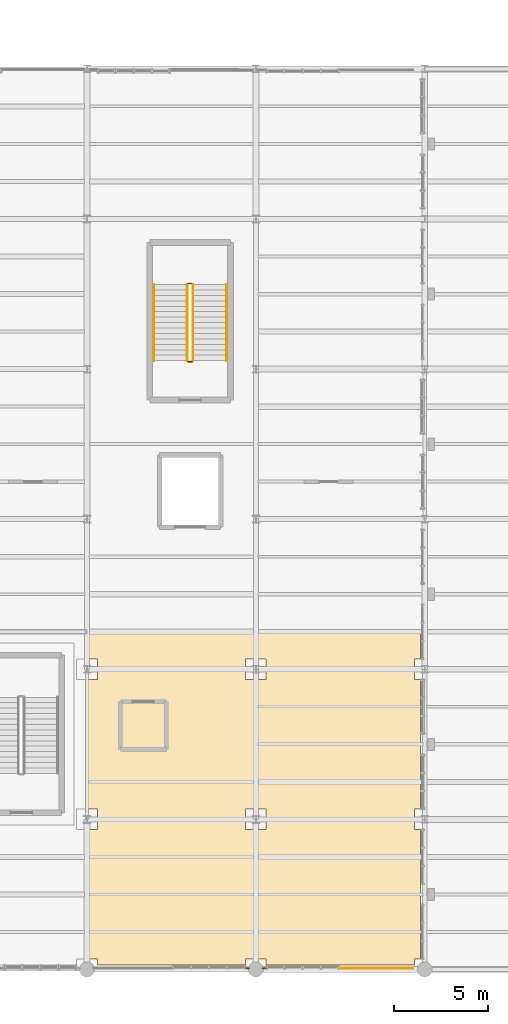
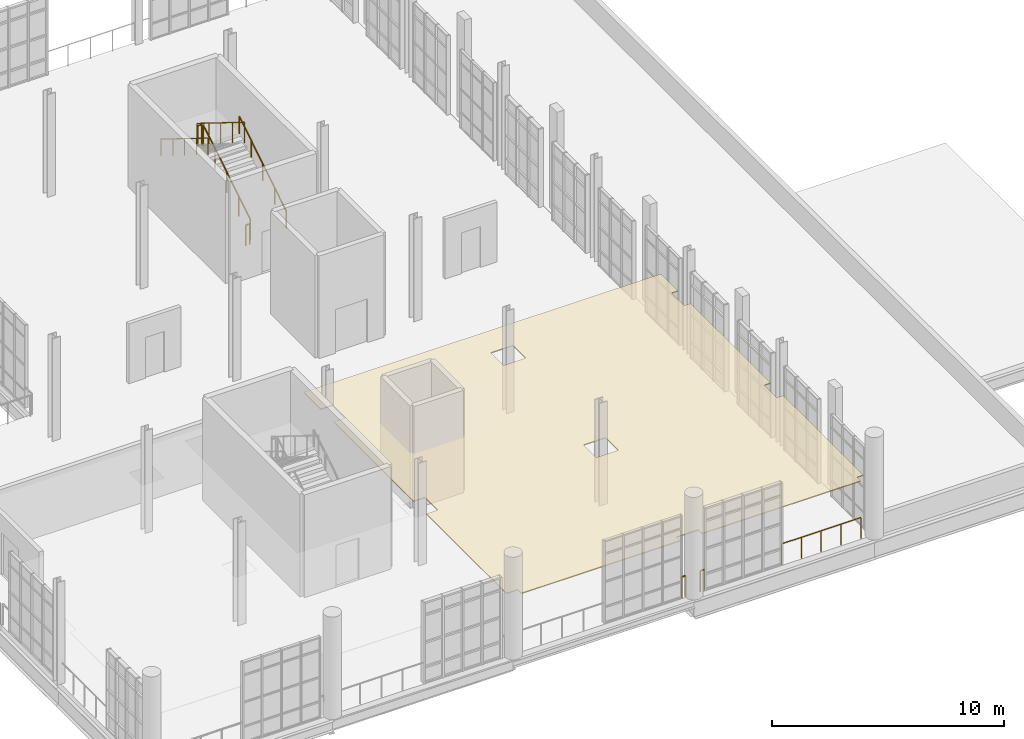
# One storey, part 141 of 142: 9 railings, 1 covering.
"""IFC4 building model written with IfcOpenShell, lengths in metres."""

from ifc_helpers import new_model, si_unit, direction, frame, origin, origin_2d, place, context, subcontext, project, spatial, polyline, circle, outline, extrude, material, layer, layer_set, type_object, element, save


model = new_model("IFC4")

# Units and contexts
model_context = context("Model", 3, precision=1e-05, world=origin(), true_north=direction((0.0, 1.0)))
body_context = subcontext(model_context, "Body", "Model", "MODEL_VIEW")
ifc_project = project(units=[si_unit("LENGTHUNIT", "METRE"), si_unit("AREAUNIT", "SQUARE_METRE"), si_unit("VOLUMEUNIT", "CUBIC_METRE"), si_unit("PLANEANGLEUNIT", "RADIAN"), si_unit("MASSUNIT", "GRAM", prefix="KILO"), si_unit("THERMODYNAMICTEMPERATUREUNIT", "KELVIN"), si_unit("POWERUNIT", "WATT")], contexts=[model_context])

# Site, building, storey
site_placement = place(None, origin())
site = spatial("IfcSite", under=ifc_project, at=site_placement, CompositionType="ELEMENT")
building_placement = place(site_placement, origin())
building = spatial("IfcBuilding", under=site, at=building_placement, Name="Zelmaris Science Centre", CompositionType="ELEMENT")
storey_placement = place(building_placement, frame((0.0, 0.0, 5.39990234375)))
storey = spatial("IfcBuildingStorey", under=building, at=storey_placement, Name="L01", CompositionType="ELEMENT", Elevation=5.39990234375)

# Covering
ifc_material_1 = material(Name="Perforated mineral-fibre acoustic ceiling tile")
ifc_layer = layer(ifc_material_1, 0.050048828125, Name="Perforated mineral-fibre acoustic ceiling tile")
ifc_layer_set = layer_set([ifc_layer], Name="Perforated mineral-fibre acoustic ceiling tile")
covering_type = type_object("IfcCoveringType", Name="Acoustic Ceiling CLG-02 50mm", PredefinedType="CEILING", material=ifc_layer_set)
covering_placement = place(storey_placement, frame((0.0, 0.0, 2.85009765625)))
element("IfcCovering", 1, at=covering_placement, inside=storey, type_object=covering_type, Name="L01 Chemistry Teaching Wet Laboratory acoustic ceiling", PredefinedType="CEILING", context=body_context, shape_type="SweptSolid", body=[
    extrude(outline(polyline([(143.751953125, 26.02001953125), (143.75390625, 26.01953125), (143.755859375, 26.01904296875), (143.7578125, 26.0185546875), (143.759521484375, 26.017578125), (143.760986328125, 26.0166015625), (143.7626953125, 26.015380859375), (143.76416015625, 26.01416015625), (143.765380859375, 26.0126953125), (143.7666015625, 26.010986328125), (143.767578125, 26.009521484375), (143.7685546875, 26.0078125), (143.76904296875, 26.005859375), (143.76953125, 26.00390625), (143.77001953125, 26.001953125), (143.77001953125, 26.0), (143.77001953125, 24.550048828125), (143.449951171875, 24.550048828125), (143.449951171875, 23.449951171875), (143.77001953125, 23.449951171875), (143.77001953125, 16.550048828125), (143.449951171875, 16.550048828125), (143.449951171875, 15.449951171875), (143.77001953125, 15.449951171875), (143.77001953125, 8.550048828125), (143.449951171875, 8.550048828125), (143.449951171875, 8.22998046875), (135.550048828125, 8.22998046875), (135.550048828125, 8.550048828125), (134.449951171875, 8.550048828125), (134.449951171875, 8.22998046875), (126.550048828125, 8.22998046875), (126.550048828125, 8.550048828125), (125.985107421875, 8.550048828125), (125.985107421875, 15.449951171875), (126.550048828125, 15.449951171875), (126.550048828125, 16.550048828125), (125.985107421875, 16.550048828125), (125.985107421875, 23.449951171875), (126.550048828125, 23.449951171875), (126.550048828125, 24.550048828125), (125.985107421875, 24.550048828125), (125.985107421875, 26.0), (125.985107421875, 26.001953125), (125.9853515625, 26.00390625), (125.98583984375, 26.005859375), (125.986572265625, 26.0078125), (125.9873046875, 26.009521484375), (125.98828125, 26.010986328125), (125.989501953125, 26.0126953125), (125.990966796875, 26.01416015625), (125.9921875, 26.015380859375), (125.993896484375, 26.0166015625), (125.99560546875, 26.017578125), (125.997314453125, 26.0185546875), (125.999267578125, 26.01904296875), (126.001220703125, 26.01953125), (126.0029296875, 26.02001953125), (126.0048828125, 26.02001953125), (143.75, 26.02001953125), (143.751953125, 26.02001953125)]), holes=[polyline([(135.550048828125, 15.449951171875), (135.550048828125, 16.550048828125), (134.449951171875, 16.550048828125), (134.449951171875, 15.449951171875), (135.550048828125, 15.449951171875)]), polyline([(135.550048828125, 24.550048828125), (134.449951171875, 24.550048828125), (134.449951171875, 23.449951171875), (135.550048828125, 23.449951171875), (135.550048828125, 24.550048828125)])]), origin(), (0.0, 0.0, 1.0), 0.050048828125),
])

# Railings
ifc_material_2 = material(Name="Architectural bronze alloy C28000")
railing_type_1 = type_object("IfcRailingType", Name="Balustrade GD-01 H1120", PredefinedType="BALUSTRADE", material=ifc_material_2)
railing_1_placement = place(storey_placement, frame((143.360107421875, 8.06005859375, 0.0)))
element("IfcRailing", 2, at=railing_1_placement, inside=storey, type_object=railing_type_1, Name="L01 Perimeter safety balustrade 78", PredefinedType="BALUSTRADE", context=body_context, shape_type="SweptSolid", body=[
    extrude(circle(Radius=0.02392578125, at=origin_2d()), frame((0.0, 0.0, 1.09619140625), z_axis=(-1.0, 0.0, 0.0), x_axis=(0.0, -1.0, 0.0)), (0.0, 0.0, 1.0), 3.9501953125),
    extrude(circle(Radius=0.02099609375, at=origin_2d()), origin(), (0.0, 0.0, 1.0), 1.072021484375),
    extrude(circle(Radius=0.02099609375, at=origin_2d()), frame((-0.987548828125, 0.0, 0.0)), (0.0, 0.0, 1.0), 1.072021484375),
    extrude(circle(Radius=0.02099609375, at=origin_2d()), frame((-1.97509765625, 0.0, 0.0)), (0.0, 0.0, 1.0), 1.072021484375),
    extrude(circle(Radius=0.02099609375, at=origin_2d()), frame((-2.962646484375, 0.0, 0.0)), (0.0, 0.0, 1.0), 1.072021484375),
    extrude(circle(Radius=0.02099609375, at=origin_2d()), frame((-3.9501953125, 0.0, 0.0)), (0.0, 0.0, 1.0), 1.072021484375),
])
for number, where, name in (
    (3, (135.570068359375, 8.06005859375, 0.0), "L01 Perimeter safety balustrade 79"),
    (4, (134.6298828125, 8.06005859375, 0.0), "L01 Perimeter safety balustrade 80"),
):
    element("IfcRailing", number, at=place(storey_placement, frame(where)), inside=storey, type_object=railing_type_1, Name=name, PredefinedType="BALUSTRADE", context=body_context, shape_type="SweptSolid", body=[
        extrude(circle(Radius=0.02392578125, at=origin_2d()), frame((0.0, 0.0, 1.09619140625), z_axis=(-1.0, 0.0, 0.0), x_axis=(0.0, -1.0, 0.0)), (0.0, 0.0, 1.0), 0.199951171875),
        extrude(circle(Radius=0.02099609375, at=origin_2d()), origin(), (0.0, 0.0, 1.0), 1.072021484375),
        extrude(circle(Radius=0.02099609375, at=origin_2d()), frame((-0.199951171875, 0.0, 0.0)), (0.0, 0.0, 1.0), 1.072021484375),
    ])
railing_2_placement = place(storey_placement, frame((131.64990234375, 40.449951171875, 0.18017578125)))
element("IfcRailing", 5, at=railing_2_placement, inside=storey, type_object=railing_type_1, Name="L01 ST-5 stair guard 1", PredefinedType="BALUSTRADE", context=body_context, shape_type="SweptSolid", body=[
    extrude(circle(Radius=0.02392578125, at=origin_2d()), frame((0.0, 0.0, 1.076171875), z_axis=(0.0, 0.849641744969, 0.527360318194), x_axis=(-1.0, 0.0, 0.0)), (0.0, 0.0, 1.0), 4.778564453125),
    extrude(circle(Radius=0.02099609375, at=origin_2d()), origin(), (0.0, 0.0, 1.0), 1.052001953125),
    extrude(circle(Radius=0.02099609375, at=origin_2d()), frame((0.0, 1.01513671875, 0.6298828125)), (0.0, 0.0, 1.0), 1.052001953125),
    extrude(circle(Radius=0.02099609375, at=origin_2d()), frame((0.0, 2.030029296875, 1.260009765625)), (0.0, 0.0, 1.0), 1.052001953125),
    extrude(circle(Radius=0.02099609375, at=origin_2d()), frame((0.0, 3.044921875, 1.89013671875)), (0.0, 0.0, 1.0), 1.052001953125),
    extrude(circle(Radius=0.02099609375, at=origin_2d()), frame((0.0, 4.06005859375, 2.52001953125)), (0.0, 0.0, 1.0), 1.052001953125),
])
railing_3_placement = place(storey_placement, frame((131.60009765625, 44.56005859375, 2.7001953125)))
element("IfcRailing", 6, at=railing_3_placement, inside=storey, type_object=railing_type_1, Name="L01 ST-5 stair guard 2", PredefinedType="BALUSTRADE", context=body_context, shape_type="SweptSolid", body=[
    extrude(circle(Radius=0.02392578125, at=origin_2d()), frame((0.0, 0.0, 1.076171875), z_axis=(-1.0, 0.0, 0.0), x_axis=(0.0, -1.0, 0.0)), (0.0, 0.0, 1.0), 0.2001953125),
    extrude(circle(Radius=0.02099609375, at=origin_2d()), origin(), (0.0, 0.0, 1.0), 1.052001953125),
    extrude(circle(Radius=0.02099609375, at=origin_2d()), frame((-0.2001953125, 0.0, 0.0)), (0.0, 0.0, 1.0), 1.052001953125),
])
railing_4_placement = place(storey_placement, frame((131.35009765625, 44.510009765625, 2.880126953125)))
element("IfcRailing", 7, at=railing_4_placement, inside=storey, type_object=railing_type_1, Name="L01 ST-5 stair guard 3", PredefinedType="BALUSTRADE", context=body_context, shape_type="SweptSolid", body=[
    extrude(circle(Radius=0.02392578125, at=origin_2d()), frame((0.0, 0.0, 1.076171875), z_axis=(0.0, -0.849641744969, 0.527360318194), x_axis=(1.0, 0.0, 0.0)), (0.0, 0.0, 1.0), 4.778564453125),
    extrude(circle(Radius=0.02099609375, at=origin_2d()), origin(), (0.0, 0.0, 1.0), 1.052001953125),
    extrude(circle(Radius=0.02099609375, at=origin_2d()), frame((0.0, -1.01513671875, 0.6298828125)), (0.0, 0.0, 1.0), 1.052001953125),
    extrude(circle(Radius=0.02099609375, at=origin_2d()), frame((0.0, -2.030029296875, 1.260009765625)), (0.0, 0.0, 1.0), 1.052001953125),
    extrude(circle(Radius=0.02099609375, at=origin_2d()), frame((0.0, -3.044921875, 1.89013671875)), (0.0, 0.0, 1.0), 1.052001953125),
    extrude(circle(Radius=0.02099609375, at=origin_2d()), frame((0.0, -4.06005859375, 2.52001953125)), (0.0, 0.0, 1.0), 1.052001953125),
])
railing_5_placement = place(storey_placement, frame((131.60009765625, 40.39990234375, 0.0)))
element("IfcRailing", 8, at=railing_5_placement, inside=storey, type_object=railing_type_1, Name="L01 ST-5 stair guard 4", PredefinedType="BALUSTRADE", context=body_context, shape_type="SweptSolid", body=[
    extrude(circle(Radius=0.02392578125, at=origin_2d()), frame((0.0, 0.0, 1.076171875), z_axis=(-1.0, 0.0, 0.0), x_axis=(0.0, -1.0, 0.0)), (0.0, 0.0, 1.0), 0.2001953125),
    extrude(circle(Radius=0.02099609375, at=origin_2d()), origin(), (0.0, 0.0, 1.0), 1.052001953125),
    extrude(circle(Radius=0.02099609375, at=origin_2d()), frame((-0.2001953125, 0.0, 0.0)), (0.0, 0.0, 1.0), 1.052001953125),
])
railing_type_2 = type_object("IfcRailingType", Name="Handrail HR-01 H900", PredefinedType="HANDRAIL", material=ifc_material_2)
railing_6_placement = place(storey_placement, frame((133.449951171875, 40.449951171875, 0.18017578125)))
element("IfcRailing", 9, at=railing_6_placement, inside=storey, type_object=railing_type_2, Name="L01 ST-5 stair handrail 1", PredefinedType="HANDRAIL", context=body_context, shape_type="SweptSolid", body=[
    extrude(circle(Radius=0.02392578125, at=origin_2d()), frame((0.0, 0.0, 0.8759765625), z_axis=(0.0, 0.849641744969, 0.527360318194), x_axis=(-1.0, 0.0, 0.0)), (0.0, 0.0, 1.0), 4.778564453125),
    extrude(circle(Radius=0.02099609375, at=origin_2d()), origin(), (0.0, 0.0, 1.0), 0.851806640625),
    extrude(circle(Radius=0.02099609375, at=origin_2d()), frame((0.0, 1.01513671875, 0.6298828125)), (0.0, 0.0, 1.0), 0.851806640625),
    extrude(circle(Radius=0.02099609375, at=origin_2d()), frame((0.0, 2.030029296875, 1.260009765625)), (0.0, 0.0, 1.0), 0.851806640625),
    extrude(circle(Radius=0.02099609375, at=origin_2d()), frame((0.0, 3.044921875, 1.89013671875)), (0.0, 0.0, 1.0), 0.851806640625),
    extrude(circle(Radius=0.02099609375, at=origin_2d()), frame((0.0, 4.06005859375, 2.52001953125)), (0.0, 0.0, 1.0), 0.851806640625),
])
railing_7_placement = place(storey_placement, frame((129.550048828125, 44.510009765625, 2.880126953125)))
element("IfcRailing", 10, at=railing_7_placement, inside=storey, type_object=railing_type_2, Name="L01 ST-5 stair handrail 2", PredefinedType="HANDRAIL", context=body_context, shape_type="SweptSolid", body=[
    extrude(circle(Radius=0.02392578125, at=origin_2d()), frame((0.0, 0.0, 0.8759765625), z_axis=(0.0, -0.849641744969, 0.527360318194), x_axis=(1.0, 0.0, 0.0)), (0.0, 0.0, 1.0), 4.778564453125),
    extrude(circle(Radius=0.02099609375, at=origin_2d()), origin(), (0.0, 0.0, 1.0), 0.851806640625),
    extrude(circle(Radius=0.02099609375, at=origin_2d()), frame((0.0, -1.01513671875, 0.6298828125)), (0.0, 0.0, 1.0), 0.851806640625),
    extrude(circle(Radius=0.02099609375, at=origin_2d()), frame((0.0, -2.030029296875, 1.260009765625)), (0.0, 0.0, 1.0), 0.851806640625),
    extrude(circle(Radius=0.02099609375, at=origin_2d()), frame((0.0, -3.044921875, 1.89013671875)), (0.0, 0.0, 1.0), 0.851806640625),
    extrude(circle(Radius=0.02099609375, at=origin_2d()), frame((0.0, -4.06005859375, 2.52001953125)), (0.0, 0.0, 1.0), 0.851806640625),
])

save(model, "model.ifc")
